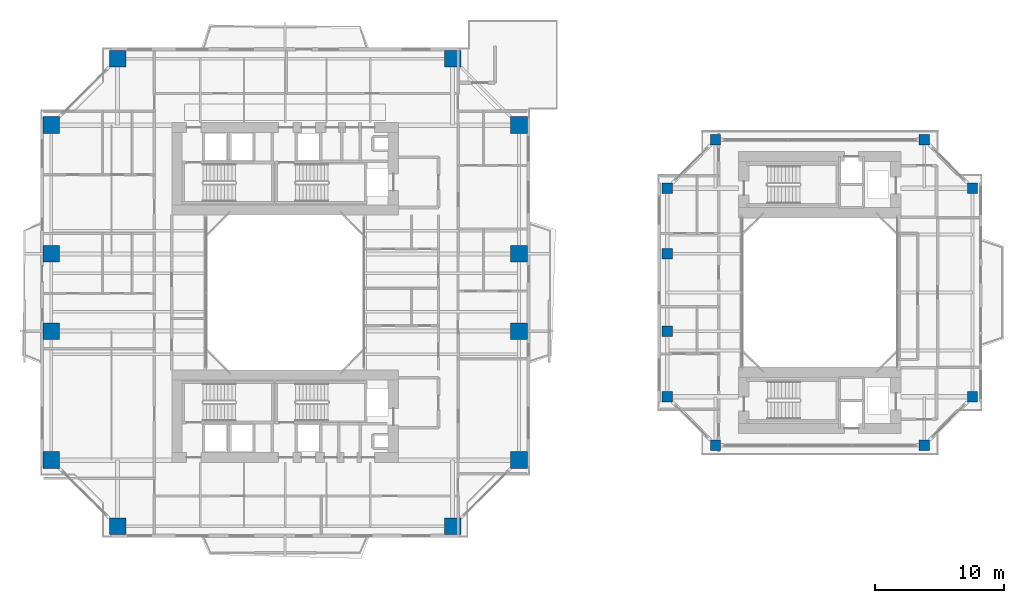
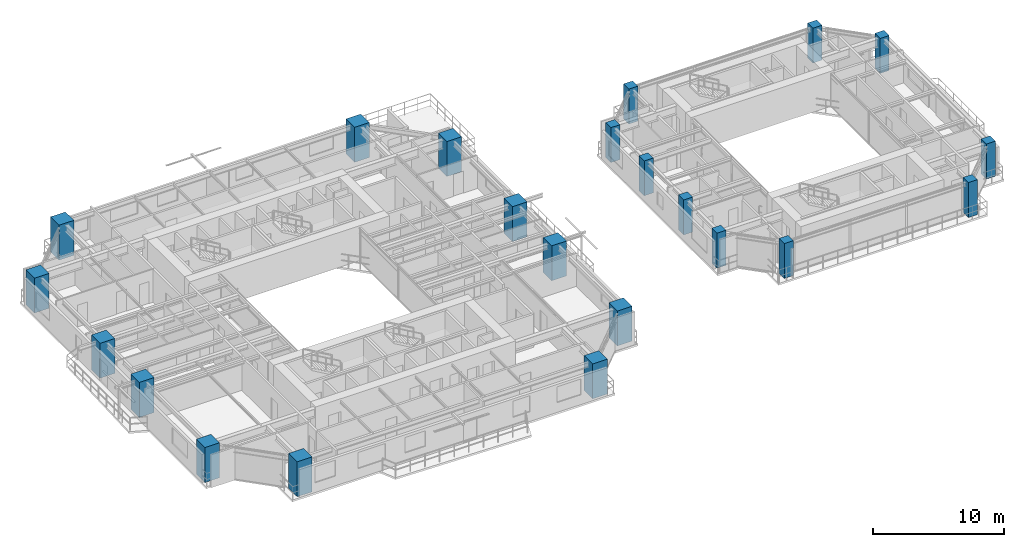
# One storey, part 1 of 23: 22 columns.
"""IFC4 building model written with IfcOpenShell, lengths in metres."""

from ifc_helpers import new_model, si_unit, direction, frame, origin, origin_2d, place, context, subcontext, project, spatial, rectangle, extrude, source, transform, mapped, material, material_profile, profile_set, type_object, element, save


model = new_model("IFC4")

# Units and contexts
model_context = context("Model", 3, precision=1e-05, world=origin(), true_north=direction((0.0, 1.0)))
body_context = subcontext(model_context, "Body", "Model", "MODEL_VIEW")
ifc_project = project(units=[si_unit("LENGTHUNIT", "METRE"), si_unit("AREAUNIT", "SQUARE_METRE"), si_unit("VOLUMEUNIT", "CUBIC_METRE"), si_unit("PLANEANGLEUNIT", "RADIAN"), si_unit("MASSUNIT", "GRAM", prefix="KILO"), si_unit("THERMODYNAMICTEMPERATUREUNIT", "KELVIN"), si_unit("POWERUNIT", "WATT")], contexts=[model_context])

# Site, building, storey
site_placement = place(None, origin())
site = spatial("IfcSite", under=ifc_project, at=site_placement, CompositionType="ELEMENT")
building_placement = place(site_placement, origin())
building = spatial("IfcBuilding", under=site, at=building_placement, Name="Qiaomeng Ring Towers", CompositionType="ELEMENT")
storey_placement = place(building_placement, frame((0.0, 0.0, 82.75)))
storey = spatial("IfcBuildingStorey", under=building, at=storey_placement, Name="L23", CompositionType="ELEMENT", Elevation=82.75)

# Columns
ifc_material_1 = material(Name="Concrete C60", Category="concrete")
ifc_material_profile_1 = material_profile(ifc_material_1, rectangle(XDim=1.300048828125, YDim=1.300048828125, at=origin_2d()), Name="RC COL 1300x1300")
ifc_profile_set_1 = profile_set([ifc_material_profile_1], Name="Concrete C60")
column_type_1 = type_object("IfcColumnType", Name="STR-COL-1300", PredefinedType="COLUMN", material=ifc_profile_set_1)
shared_shape_1 = source(origin(), body_context, "Body", "SweptSolid", [
    extrude(rectangle(XDim=1.300048828125, YDim=1.300048828125, at=origin_2d()), origin(), (0.0, 0.0, 1.0), 3.25),
])
for number, where, z_axis, x_axis, name in (
    (1, (6.0, 4.85009765625, 0.0), (0.0, 0.0, 1.0), (1.0, 0.0, 0.0), "L23 column STR-COL-L23-T1-S1"),
    (2, (32.0, 4.85009765625, 0.0), (0.0, 0.0, 1.0), (1.0, 0.0, 0.0), "L23 column STR-COL-L23-T1-S2"),
    (3, (37.14990234375, 10.0, 0.0), (0.0, 0.0, 1.0), (1.0, 0.0, 0.0), "L23 column STR-COL-L23-T1-E1"),
    (4, (37.14990234375, 20.0, 0.0), (0.0, 0.0, 1.0), (1.0, 0.0, 0.0), "L23 column STR-COL-L23-T1-E2"),
    (5, (37.14990234375, 26.0, 0.0), (0.0, 0.0, 1.0), (1.0, 0.0, 0.0), "L23 column STR-COL-L23-T1-E3"),
    (6, (37.14990234375, 36.0, 0.0), (0.0, 0.0, 1.0), (1.0, 0.0, 0.0), "L23 column STR-COL-L23-T1-E4"),
    (7, (32.0, 41.14990234375, 0.0), (0.0, 0.0, 1.0), (1.0, 0.0, 0.0), "L23 column STR-COL-L23-T1-N2"),
    (8, (6.0, 41.14990234375, 0.0), (0.0, 0.0, 1.0), (1.0, 0.0, 0.0), "L23 column STR-COL-L23-T1-N1"),
    (9, (0.85009765625, 36.0, 0.0), (0.0, 0.0, 1.0), (1.0, 0.0, 0.0), "L23 column STR-COL-L23-T1-W4"),
    (10, (0.85009765625, 26.0, 0.0), (0.0, 0.0, 1.0), (1.0, 0.0, 0.0), "L23 column STR-COL-L23-T1-W3"),
    (11, (0.85009765625, 20.0, 0.0), (0.0, 0.0, 1.0), (1.0, 0.0, 0.0), "L23 column STR-COL-L23-T1-W2"),
    (12, (0.85009765625, 10.0, 0.0), (0.0, 0.0, 1.0), (1.0, 0.0, 0.0), "L23 column STR-COL-L23-T1-W1"),
):
    element("IfcColumn", number, at=place(storey_placement, frame(where, z_axis=z_axis, x_axis=x_axis)), inside=storey, type_object=column_type_1, Name=name, PredefinedType="COLUMN", context=body_context, shape_type="MappedRepresentation", body=[
        mapped(shared_shape_1, transform((0.0, 0.0, 0.0), x_axis=(1.0, 0.0, 0.0), y_axis=(0.0, 1.0, 0.0), z_axis=(0.0, 0.0, 1.0), scale=1.0)),
    ])
ifc_material_2 = material(Name="Concrete C55", Category="concrete")
ifc_material_profile_2 = material_profile(ifc_material_2, rectangle(XDim=0.800048828125, YDim=0.800048828125, at=origin_2d()), Name="RC COL 800x800")
ifc_profile_set_2 = profile_set([ifc_material_profile_2], Name="Concrete C55")
column_type_2 = type_object("IfcColumnType", Name="STR-COL-800-C55", PredefinedType="COLUMN", material=ifc_profile_set_2)
shared_shape_2 = source(origin(), body_context, "Body", "SweptSolid", [
    extrude(rectangle(XDim=0.800048828125, YDim=0.800048828125, at=origin_2d()), origin(), (0.0, 0.0, 1.0), 3.25),
])
for number, where, z_axis, x_axis, name in (
    (13, (52.39990234375, 11.14990234375, 0.0), (0.0, 0.0, 1.0), (1.0, 0.0, 0.0), "L23 column STR-COL-L23-T2-S1"),
    (14, (68.60009765625, 11.14990234375, 0.0), (0.0, 0.0, 1.0), (1.0, 0.0, 0.0), "L23 column STR-COL-L23-T2-S2"),
    (15, (72.35009765625, 14.89990234375, 0.0), (0.0, 0.0, 1.0), (1.0, 0.0, 0.0), "L23 column STR-COL-L23-T2-E1"),
    (16, (72.35009765625, 31.10009765625, 0.0), (0.0, 0.0, 1.0), (1.0, 0.0, 0.0), "L23 column STR-COL-L23-T2-E2"),
    (17, (68.60009765625, 34.85009765625, 0.0), (0.0, 0.0, 1.0), (1.0, 0.0, 0.0), "L23 column STR-COL-L23-T2-N2"),
    (18, (52.39990234375, 34.85009765625, 0.0), (0.0, 0.0, 1.0), (1.0, 0.0, 0.0), "L23 column STR-COL-L23-T2-N1"),
    (19, (48.64990234375, 14.89990234375, 0.0), (0.0, 0.0, 1.0), (1.0, 0.0, 0.0), "L23 column STR-COL-L23-T2-W1"),
    (20, (48.64990234375, 20.0, 0.0), (0.0, 0.0, 1.0), (1.0, 0.0, 0.0), "L23 column STR-COL-L23-T2-W2"),
    (21, (48.64990234375, 26.0, 0.0), (0.0, 0.0, 1.0), (1.0, 0.0, 0.0), "L23 column STR-COL-L23-T2-W3"),
    (22, (48.64990234375, 31.10009765625, 0.0), (0.0, 0.0, 1.0), (1.0, 0.0, 0.0), "L23 column STR-COL-L23-T2-W4"),
):
    element("IfcColumn", number, at=place(storey_placement, frame(where, z_axis=z_axis, x_axis=x_axis)), inside=storey, type_object=column_type_2, Name=name, PredefinedType="COLUMN", context=body_context, shape_type="MappedRepresentation", body=[
        mapped(shared_shape_2, transform((0.0, 0.0, 0.0), x_axis=(1.0, 0.0, 0.0), y_axis=(0.0, 1.0, 0.0), z_axis=(0.0, 0.0, 1.0), scale=1.0)),
    ])

save(model, "model.ifc")
